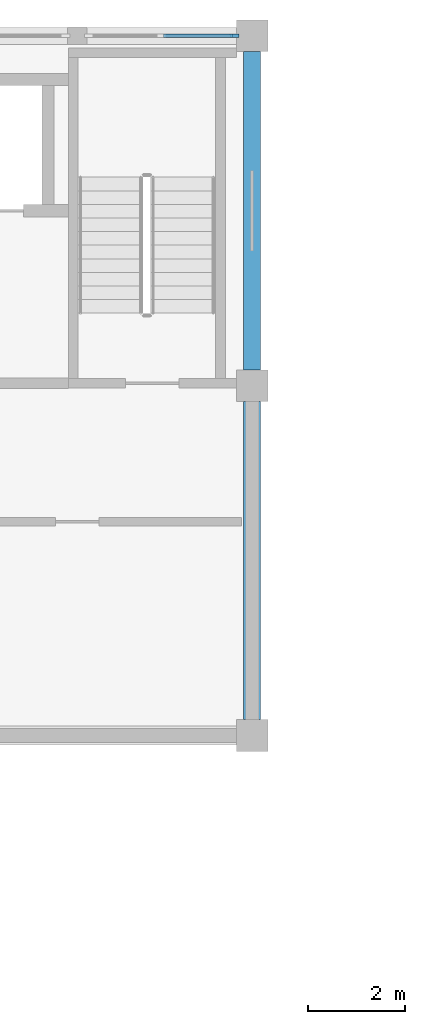
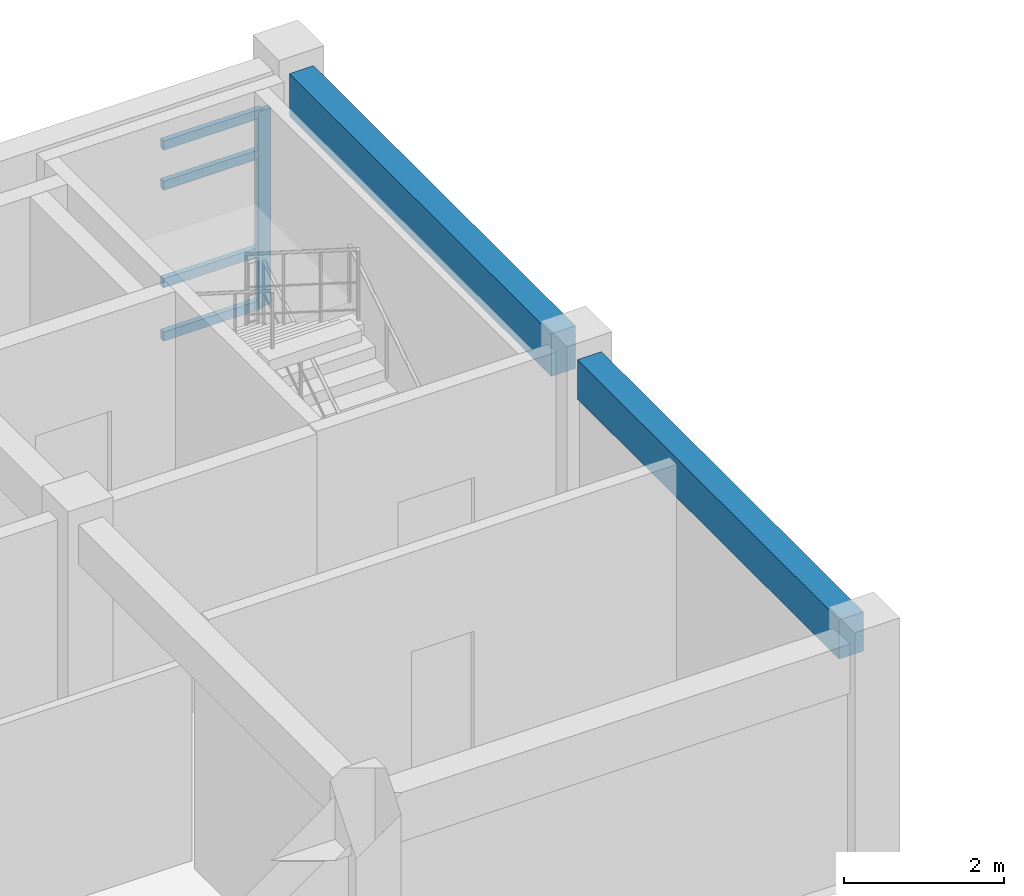
# One storey, part 3 of 13: 5 members, 2 beams, 1 element without a shape of its own.
"""IFC4 building model written with IfcOpenShell, lengths in metres."""

from ifc_helpers import new_model, si_unit, direction, frame, origin, origin_2d, place, context, subcontext, project, spatial, rectangle, extrude, material, layer, layer_set, material_profile, profile_set, type_object, element, aggregate, save


model = new_model("IFC4")

# Units and contexts
model_context = context("Model", 3, precision=1e-05, world=origin(), true_north=direction((0.0, 1.0)))
body_context = subcontext(model_context, "Body", "Model", "MODEL_VIEW")
ifc_project = project(units=[si_unit("LENGTHUNIT", "METRE"), si_unit("AREAUNIT", "SQUARE_METRE"), si_unit("VOLUMEUNIT", "CUBIC_METRE"), si_unit("PLANEANGLEUNIT", "RADIAN"), si_unit("MASSUNIT", "GRAM", prefix="KILO")], contexts=[model_context])

# Site, building, storey
site_placement = place(None, origin())
site = spatial("IfcSite", under=ifc_project, at=site_placement, CompositionType="ELEMENT")
building_placement = place(site_placement, origin())
building = spatial("IfcBuilding", under=site, at=building_placement, Name="Koriwan Promenade Central Fire Station", CompositionType="ELEMENT")
storey_placement = place(building_placement, frame((0.0, 0.0, 13.5)))
storey = spatial("IfcBuildingStorey", under=building, at=storey_placement, Name="L03", CompositionType="ELEMENT", Elevation=13.5)

# Beams
ifc_material_1 = material(Name="Concrete C35/45", Category="concrete")
ifc_material_profile_1 = material_profile(ifc_material_1, rectangle(XDim=0.35009765625, YDim=0.60009765625, at=origin_2d()), Name="RC-BM-350x600")
ifc_profile_set_1 = profile_set([ifc_material_profile_1], Name="Concrete C35/45")
beam_type_1 = type_object("IfcBeamType", Name="Beam_RC-BM-350x600", PredefinedType="BEAM", material=ifc_profile_set_1)
beam_1_placement = place(storey_placement, frame((100.800048828125, 101.125, 3.35009765625), z_axis=(0.0, 1.0, 0.0), x_axis=(-1.0, 0.0, 0.0)))
element("IfcBeam", 1, at=beam_1_placement, inside=storey, type_object=beam_type_1, Name="V2 L03 girder Y-172", PredefinedType="BEAM", context=body_context, shape_type="SweptSolid", body=[
    extrude(rectangle(XDim=0.35009765625, YDim=0.60009765625, at=origin_2d()), origin(), (0.0, 0.0, 1.0), 6.550048828125),
])
ifc_material_profile_2 = material_profile(ifc_material_1, rectangle(XDim=0.35009765625, YDim=0.64990234375, at=origin_2d()), Name="RC-BM-350x650")
ifc_profile_set_2 = profile_set([ifc_material_profile_2], Name="Concrete C35/45")
beam_type_2 = type_object("IfcBeamType", Name="Beam_RC-BM-350x650", PredefinedType="BEAM", material=ifc_profile_set_2)
beam_2_placement = place(storey_placement, frame((100.800048828125, 108.324951171875, 3.324951171875), z_axis=(0.0, 1.0, 0.0), x_axis=(-1.0, 0.0, 0.0)))
element("IfcBeam", 2, at=beam_2_placement, inside=storey, type_object=beam_type_2, Name="V2 L03 girder Y-173", PredefinedType="BEAM", context=body_context, shape_type="SweptSolid", body=[
    extrude(rectangle(XDim=0.35009765625, YDim=0.64990234375, at=origin_2d()), origin(), (0.0, 0.0, 1.0), 6.550048828125),
])

# Curtain wall, members
ifc_material_2 = material(Name="Aluminium EN AW-6063-T6 and low-E glazing", Category="aluminium")
ifc_layer = layer(ifc_material_2, 0.159912109375, Name="Aluminium EN AW-6063-T6 and low-E glazing")
ifc_layer_set = layer_set([ifc_layer], Name="Aluminium EN AW-6063-T6 and low-E glazing")
curtain_wall_type = type_object("IfcCurtainWallType", Name="CurtainWall_11_307x299", PredefinedType="USERDEFINED", material=ifc_layer_set)
curtain_wall_placement = place(storey_placement, origin())
curtain_wall = element("IfcCurtainWall", 3, at=curtain_wall_placement, inside=storey, type_object=curtain_wall_type, Name="V2 L03 unitised curtain wall 033", ObjectType="UNITISED CURTAIN WALL", PredefinedType="USERDEFINED")
ifc_material_3 = material(Name="Aluminium EN AW-6063-T6", Category="aluminium")
ifc_material_profile_3 = material_profile(ifc_material_3, rectangle(XDim=0.074951171875, YDim=0.179931640625, at=origin_2d()), Name="ALU-MUL-75x180")
ifc_profile_set_3 = profile_set([ifc_material_profile_3], Name="Aluminium EN AW-6063-T6")
member_type_1 = type_object("IfcMemberType", Name="CWMullion_ALU-MUL-75x180", PredefinedType="MULLION", material=ifc_profile_set_3)
member_1_placement = place(storey_placement, frame((100.4375, 115.199951171875, 0.0), z_axis=(0.0, 0.0, 1.0), x_axis=(0.0, -1.0, 0.0)))
member_1 = element("IfcMember", 4, at=member_1_placement, type_object=member_type_1, Name="CW-11 mullion 1", PredefinedType="MULLION", context=body_context, shape_type="SweptSolid", body=[
    extrude(rectangle(XDim=0.074951171875, YDim=0.179931640625, at=origin_2d()), origin(), (0.0, 0.0, 1.0), 2.989990234375),
])
ifc_material_profile_4 = material_profile(ifc_material_3, rectangle(XDim=0.074951171875, YDim=0.139892578125, at=origin_2d()), Name="ALU-TRN-75x140")
ifc_profile_set_4 = profile_set([ifc_material_profile_4], Name="Aluminium EN AW-6063-T6")
member_type_2 = type_object("IfcMemberType", Name="CWTransom_ALU-TRN-75x140", PredefinedType="USERDEFINED", material=ifc_profile_set_4)
member_2_placement = place(storey_placement, frame((100.39990234375, 115.199951171875, 0.03759765625), z_axis=(-1.0, 0.0, 0.0), x_axis=(0.0, -1.0, 0.0)))
member_2 = element("IfcMember", 5, at=member_2_placement, type_object=member_type_2, Name="CW-11 transom 1.1", ObjectType="TRANSOM", PredefinedType="USERDEFINED", context=body_context, shape_type="SweptSolid", body=[
    extrude(rectangle(XDim=0.074951171875, YDim=0.139892578125, at=origin_2d()), origin(), (0.0, 0.0, 1.0), 1.4248046875),
])
member_3_placement = place(storey_placement, frame((100.39990234375, 115.199951171875, 0.85009765625), z_axis=(-1.0, 0.0, 0.0), x_axis=(0.0, -1.0, 0.0)))
member_3 = element("IfcMember", 6, at=member_3_placement, type_object=member_type_2, Name="CW-11 transom 1.2", ObjectType="TRANSOM", PredefinedType="USERDEFINED", context=body_context, shape_type="SweptSolid", body=[
    extrude(rectangle(XDim=0.074951171875, YDim=0.139892578125, at=origin_2d()), origin(), (0.0, 0.0, 1.0), 1.4248046875),
])
member_4_placement = place(storey_placement, frame((100.39990234375, 115.199951171875, 2.340087890625), z_axis=(-1.0, 0.0, 0.0), x_axis=(0.0, -1.0, 0.0)))
member_4 = element("IfcMember", 7, at=member_4_placement, type_object=member_type_2, Name="CW-11 transom 1.3", ObjectType="TRANSOM", PredefinedType="USERDEFINED", context=body_context, shape_type="SweptSolid", body=[
    extrude(rectangle(XDim=0.074951171875, YDim=0.139892578125, at=origin_2d()), origin(), (0.0, 0.0, 1.0), 1.4248046875),
])
member_5_placement = place(storey_placement, frame((100.39990234375, 115.199951171875, 2.952392578125), z_axis=(-1.0, 0.0, 0.0), x_axis=(0.0, -1.0, 0.0)))
member_5 = element("IfcMember", 8, at=member_5_placement, type_object=member_type_2, Name="CW-11 transom 1.4", ObjectType="TRANSOM", PredefinedType="USERDEFINED", context=body_context, shape_type="SweptSolid", body=[
    extrude(rectangle(XDim=0.074951171875, YDim=0.139892578125, at=origin_2d()), origin(), (0.0, 0.0, 1.0), 1.4248046875),
])
aggregate(curtain_wall, [member_1, member_2, member_3, member_4, member_5])

save(model, "model.ifc")
